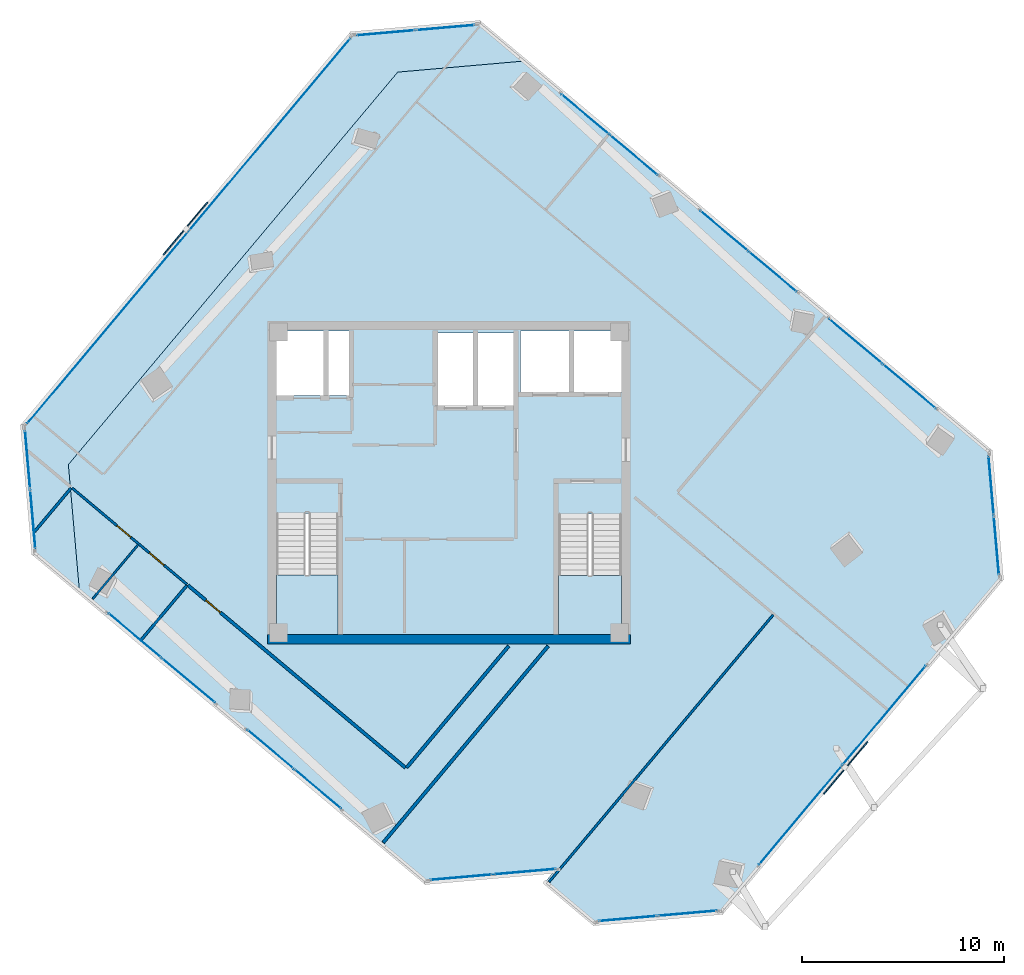
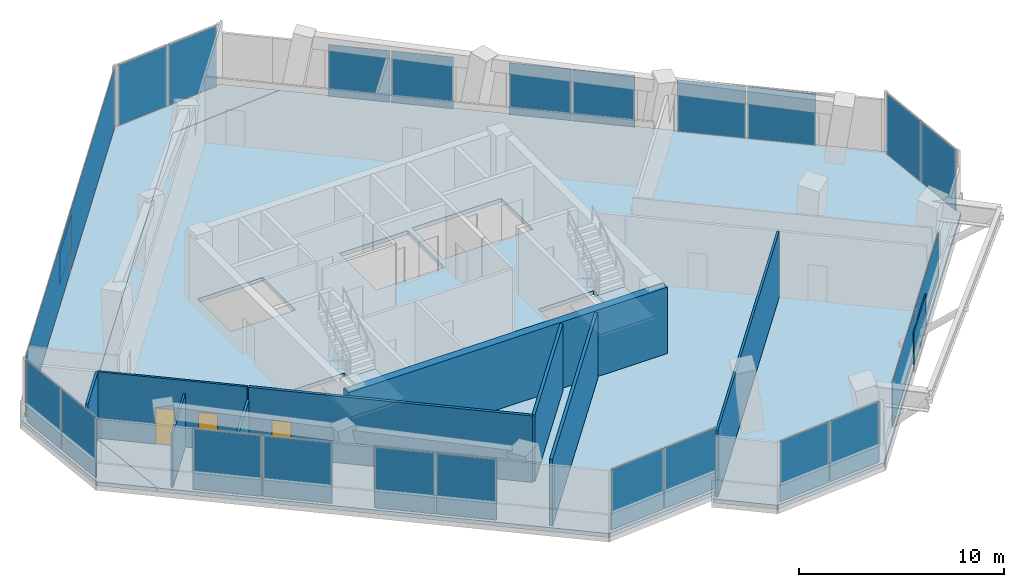
# One storey, part 13 of 18: 26 plates, 9 walls, 4 slabs, 3 doors, 3 openings, 14 elements without a shape of their own.
"""IFC4 building model written with IfcOpenShell, lengths in metres."""

from ifc_helpers import new_model, si_unit, direction, frame, frame_2d, origin, origin_2d, place, context, subcontext, project, spatial, polyline, rectangle, outline, extrude, source, transform, mapped, material, layer, layer_set, type_object, element, fill, aggregate, save


model = new_model("IFC4")

# Units and contexts
model_context = context("Model", 3, precision=1e-05, world=origin(), true_north=direction((0.0, 1.0)))
body_context = subcontext(model_context, "Body", "Model", "MODEL_VIEW")
ifc_project = project(units=[si_unit("LENGTHUNIT", "METRE"), si_unit("AREAUNIT", "SQUARE_METRE"), si_unit("VOLUMEUNIT", "CUBIC_METRE"), si_unit("PLANEANGLEUNIT", "RADIAN"), si_unit("MASSUNIT", "GRAM", prefix="KILO")], contexts=[model_context])

# Site, building, storey
site_placement = place(None, origin())
site = spatial("IfcSite", under=ifc_project, at=site_placement, CompositionType="ELEMENT")
building_placement = place(site_placement, origin())
building = spatial("IfcBuilding", under=site, at=building_placement, Name="Torre Montelarca", CompositionType="ELEMENT")
storey_placement = place(building_placement, frame((0.0, 0.0, 224.800048828125)))
storey = spatial("IfcBuildingStorey", under=building, at=storey_placement, Name="L50", CompositionType="ELEMENT", Elevation=224.800048828125)

# Slabs
ifc_material_1 = material(Name="Concrete C40/50", Category="concrete")
ifc_layer_1 = layer(ifc_material_1, 0.239990234375, Name="Concrete C40/50", Category="concrete")
ifc_layer_set_1 = layer_set([ifc_layer_1], Name="Concrete C40/50")
slab_type_1 = type_object("IfcSlabType", Name="SL-FLR-240", PredefinedType="FLOOR", material=ifc_layer_set_1)
slab_1_placement = place(storey_placement, frame((0.0, 0.0, -0.239990234375)))
element("IfcSlab", 1, at=slab_1_placement, inside=storey, type_object=slab_type_1, Name="L50 Structural Floor Slab", PredefinedType="FLOOR", context=body_context, shape_type="SweptSolid", body=[
    extrude(outline(polyline([(16.848876953125, 12.144287109375), (23.188720703125, 12.698974609375), (22.73876953125, 12.162841796875), (25.18994140625, 10.105712890625), (31.52978515625, 10.660400390625), (45.4140625, 27.20703125), (44.859375, 33.546875), (21.801513671875, 52.894775390625), (15.461669921875, 52.340087890625), (-0.865234375, 32.882568359375), (-0.310546875, 26.542724609375), (16.848876953125, 12.144287109375)]), holes=[polyline([(26.550048828125, 24.449951171875), (23.43994140625, 24.449951171875), (23.43994140625, 30.429931640625), (26.550048828125, 30.429931640625), (26.550048828125, 24.449951171875)]), polyline([(12.5, 24.449951171875), (9.449951171875, 24.449951171875), (9.449951171875, 30.4599609375), (12.5, 30.4599609375), (12.5, 24.449951171875)]), polyline([(21.25, 39.39990234375), (21.25, 35.800048828125), (17.39990234375, 35.800048828125), (17.39990234375, 39.39990234375), (21.25, 39.39990234375)]), polyline([(13.1201171875, 36.300048828125), (9.449951171875, 36.300048828125), (9.449951171875, 39.5), (13.1201171875, 39.5), (13.1201171875, 36.300048828125)]), polyline([(26.60009765625, 36.449951171875), (21.550048828125, 36.449951171875), (21.550048828125, 39.5), (26.60009765625, 39.5), (26.60009765625, 36.449951171875)])]), origin(), (0.0, 0.0, 1.0), 0.239990234375),
])
slab_2_placement = place(storey_placement, frame((0.0, 0.0, -0.239990234375)))
element("IfcSlab", 2, at=slab_2_placement, inside=storey, type_object=slab_type_1, Name="L50 Sliding Tray Winter Garden Floor Slab W1", PredefinedType="FLOOR", context=body_context, shape_type="SweptSolid", body=[
    extrude(outline(polyline([(-0.310546875, 26.542724609375), (-0.865234375, 32.882568359375), (15.461669921875, 52.340087890625), (21.801513671875, 52.894775390625), (19.503173828125, 54.822998046875), (13.16357421875, 54.268310546875), (-3.163330078125, 34.810791015625), (-2.608642578125, 28.47119140625), (-0.310546875, 26.542724609375)])), origin(), (0.0, 0.0, 1.0), 0.239990234375),
])

# Stair, slab
stair_type_1 = type_object("IfcStairType", Name="ST-CORE-ST1", PredefinedType="HALF_TURN_STAIR", material=ifc_material_1)
stair_1_placement = place(storey_placement, origin())
stair_1 = element("IfcStair", 3, at=stair_1_placement, inside=storey, type_object=stair_type_1, Name="L50 Protected Exit Stair ST1", PredefinedType="HALF_TURN_STAIR")
ifc_layer_2 = layer(ifc_material_1, 0.199951171875, Name="Concrete C40/50", Category="concrete")
ifc_layer_set_2 = layer_set([ifc_layer_2], Name="Concrete C40/50")
slab_type_2 = type_object("IfcSlabType", Name="SL-ST-LAND-ST1", PredefinedType="LANDING", material=ifc_layer_set_2)
slab_3_placement = place(storey_placement, frame((0.0, 0.0, 1.89990234375)))
slab_3 = element("IfcSlab", 4, at=slab_3_placement, type_object=slab_type_2, Name="ST1 landing 1", PredefinedType="LANDING", context=body_context, shape_type="SweptSolid", body=[
    extrude(outline(polyline([(9.449951171875, 27.419921875), (9.449951171875, 24.449951171875), (12.5, 24.449951171875), (12.5, 27.419921875), (9.449951171875, 27.419921875)])), origin(), (0.0, 0.0, 1.0), 0.199951171875),
])
aggregate(stair_1, [slab_3])

stair_type_2 = type_object("IfcStairType", Name="ST-CORE-ST2", PredefinedType="HALF_TURN_STAIR", material=ifc_material_1)
stair_2_placement = place(storey_placement, origin())
stair_2 = element("IfcStair", 5, at=stair_2_placement, inside=storey, type_object=stair_type_2, Name="L50 Protected Exit Stair ST2", PredefinedType="HALF_TURN_STAIR")
ifc_layer_3 = layer(ifc_material_1, 0.199951171875, Name="Concrete C40/50", Category="concrete")
ifc_layer_set_3 = layer_set([ifc_layer_3], Name="Concrete C40/50")
slab_type_3 = type_object("IfcSlabType", Name="SL-ST-LAND-ST2", PredefinedType="LANDING", material=ifc_layer_set_3)
slab_4_placement = place(storey_placement, frame((0.0, 0.0, 1.89990234375)))
slab_4 = element("IfcSlab", 6, at=slab_4_placement, type_object=slab_type_3, Name="ST2 landing 1", PredefinedType="LANDING", context=body_context, shape_type="SweptSolid", body=[
    extrude(outline(polyline([(23.43994140625, 27.389892578125), (23.43994140625, 24.449951171875), (26.550048828125, 24.449951171875), (26.550048828125, 27.389892578125), (23.43994140625, 27.389892578125)])), origin(), (0.0, 0.0, 1.0), 0.199951171875),
])
aggregate(stair_2, [slab_4])

# Plates
ifc_material_2 = material(Name="Architectural perforated terracotta ceramic", Category="masonry")
ifc_layer_4 = layer(ifc_material_2, 0.06005859375, Name="Architectural perforated terracotta ceramic", Category="masonry")
ifc_layer_set_4 = layer_set([ifc_layer_4], Name="Architectural perforated terracotta ceramic")
plate_type_1 = type_object("IfcPlateType", Name="SCR-CER-60", PredefinedType="USERDEFINED", material=ifc_layer_set_4)
shared_shape_1 = source(origin(), body_context, "Body", "SweptSolid", [
    extrude(rectangle(XDim=3.39990234375, YDim=0.06005859375, at=origin_2d()), origin(), (0.0, 0.0, 1.0), 1.89990234375),
])
for number, where, z_axis, x_axis, name in (
    (7, (37.664794921875, 17.847412109375, 0.5), (0.0, 0.0, 1.0), (0.642786272686, 0.766045564994, 0.0), "L50 Perforated Ceramic Brise-Soleil Screen E6-1"),
    (8, (4.938720703125, 44.591064453125, 0.5), (0.0, 0.0, 1.0), (-0.642787609687, -0.766044443119, 0.0), "L50 Perforated Ceramic Brise-Soleil Screen E10-1"),
):
    element("IfcPlate", number, at=place(storey_placement, frame(where, z_axis=z_axis, x_axis=x_axis)), inside=storey, type_object=plate_type_1, Name=name, ObjectType="SOLAR SCREEN", PredefinedType="USERDEFINED", context=body_context, shape_type="MappedRepresentation", body=[
        mapped(shared_shape_1, transform((0.0, 0.0, 0.0), scale=1.0)),
    ])

# Curtain wall, plates
ifc_material_3 = material(Name="Insulated low-E laminated glass", Category="glass")
curtain_wall_type = type_object("IfcCurtainWallType", Name="CW-SYS-Z3", PredefinedType="USERDEFINED", material=ifc_material_3)
curtain_wall_1_placement = place(storey_placement, origin())
curtain_wall_1 = element("IfcCurtainWall", 9, at=curtain_wall_1_placement, inside=storey, type_object=curtain_wall_type, Name="L50 Curtain Wall Run CW-T3-L50-E01-B1", ObjectType="UNITISED GLAZING", PredefinedType="USERDEFINED")
ifc_layer_5 = layer(ifc_material_3, 0.031982421875, Name="Insulated low-E laminated glass", Category="glass")
ifc_layer_set_5 = layer_set([ifc_layer_5], Name="Insulated low-E laminated glass")
plate_type_2 = type_object("IfcPlateType", Name="CWP-GLZ-32", PredefinedType="CURTAIN_PANEL", material=ifc_layer_set_5)
shared_shape_2 = source(origin(), body_context, "Body", "SweptSolid", [
    extrude(rectangle(XDim=3.407470703125, YDim=0.031982421875, at=origin_2d()), origin(), (0.0, 0.0, 1.0), 3.610107421875),
])
plate_1_placement = place(storey_placement, frame((2.422607421875, 24.419189453125, 0.0546875), z_axis=(0.0, 0.0, 1.0), x_axis=(0.766043072274, -0.642789243392, 0.0)))
plate_1 = element("IfcPlate", 10, at=plate_1_placement, type_object=plate_type_2, Name="CW panel 1.1", PredefinedType="CURTAIN_PANEL", context=body_context, shape_type="MappedRepresentation", body=[
    mapped(shared_shape_2, transform((0.0, 0.0, 0.0), scale=1.0)),
])
plate_2_placement = place(storey_placement, frame((5.09033203125, 22.1806640625, 0.0546875), z_axis=(0.0, 0.0, 1.0), x_axis=(0.766043072274, -0.642789243392, 0.0)))
plate_2 = element("IfcPlate", 11, at=plate_2_placement, type_object=plate_type_2, Name="CW panel 2.1", PredefinedType="CURTAIN_PANEL", context=body_context, shape_type="MappedRepresentation", body=[
    mapped(shared_shape_2, transform((0.0, 0.0, 0.0), scale=1.0)),
])
aggregate(curtain_wall_1, [plate_1, plate_2])

curtain_wall_2_placement = place(storey_placement, origin())
curtain_wall_2 = element("IfcCurtainWall", 12, at=curtain_wall_2_placement, inside=storey, type_object=curtain_wall_type, Name="L50 Curtain Wall Run CW-T3-L50-E02-B1", ObjectType="UNITISED GLAZING", PredefinedType="USERDEFINED")
shared_shape_3 = source(origin(), body_context, "Body", "SweptSolid", [
    extrude(rectangle(XDim=3.08740234375, YDim=0.031982421875, at=origin_2d()), origin(), (0.0, 0.0, 1.0), 3.610107421875),
])
plate_3_placement = place(storey_placement, frame((18.615234375, 12.429443359375, 0.0546875), z_axis=(0.0, 0.0, 1.0), x_axis=(0.996191766808, 0.087189240987, 0.0)))
plate_3 = element("IfcPlate", 13, at=plate_3_placement, type_object=plate_type_2, Name="CW panel 1.1", PredefinedType="CURTAIN_PANEL", context=body_context, shape_type="MappedRepresentation", body=[
    mapped(shared_shape_3, transform((0.0, 0.0, 0.0), scale=1.0)),
])
plate_4_placement = place(storey_placement, frame((21.765625, 12.705078125, 0.0546875), z_axis=(0.0, 0.0, 1.0), x_axis=(0.996191766808, 0.087189240987, 0.0)))
plate_4 = element("IfcPlate", 14, at=plate_4_placement, type_object=plate_type_2, Name="CW panel 2.1", PredefinedType="CURTAIN_PANEL", context=body_context, shape_type="MappedRepresentation", body=[
    mapped(shared_shape_3, transform((0.0, 0.0, 0.0), scale=1.0)),
])
aggregate(curtain_wall_2, [plate_3, plate_4])

curtain_wall_3_placement = place(storey_placement, origin())
curtain_wall_3 = element("IfcCurtainWall", 15, at=curtain_wall_3_placement, inside=storey, type_object=curtain_wall_type, Name="L50 Curtain Wall Run CW-T3-L50-E05-B1", ObjectType="UNITISED GLAZING", PredefinedType="USERDEFINED")
shared_shape_4 = source(origin(), body_context, "Body", "SweptSolid", [
    extrude(rectangle(XDim=2.903564453125, YDim=0.031982421875, at=origin_2d()), origin(), (0.0, 0.0, 1.0), 3.610107421875),
])
plate_5_placement = place(storey_placement, frame((26.864990234375, 10.3828125, 0.0546875), z_axis=(0.0, 0.0, 1.0), x_axis=(0.996192475817, 0.087181139731, 0.0)))
plate_5 = element("IfcPlate", 16, at=plate_5_placement, type_object=plate_type_2, Name="CW panel 1.1", PredefinedType="CURTAIN_PANEL", context=body_context, shape_type="MappedRepresentation", body=[
    mapped(shared_shape_4, transform((0.0, 0.0, 0.0), scale=1.0)),
])
plate_6_placement = place(storey_placement, frame((29.832275390625, 10.642578125, 0.0546875), z_axis=(0.0, 0.0, 1.0), x_axis=(0.996192475817, 0.087181139731, 0.0)))
plate_6 = element("IfcPlate", 17, at=plate_6_placement, type_object=plate_type_2, Name="CW panel 2.1", PredefinedType="CURTAIN_PANEL", context=body_context, shape_type="MappedRepresentation", body=[
    mapped(shared_shape_4, transform((0.0, 0.0, 0.0), scale=1.0)),
])
aggregate(curtain_wall_3, [plate_5, plate_6])

curtain_wall_4_placement = place(storey_placement, origin())
curtain_wall_4 = element("IfcCurtainWall", 18, at=curtain_wall_4_placement, inside=storey, type_object=curtain_wall_type, Name="L50 Curtain Wall Run CW-T3-L50-E07-B1", ObjectType="UNITISED GLAZING", PredefinedType="USERDEFINED")
plate_7_placement = place(storey_placement, frame((45.136962890625, 28.882080078125, 0.0546875), z_axis=(0.0, 0.0, 1.0), x_axis=(-0.087182579501, 0.996192349816, 0.0)))
plate_7 = element("IfcPlate", 19, at=plate_7_placement, type_object=plate_type_2, Name="CW panel 1.1", PredefinedType="CURTAIN_PANEL", context=body_context, shape_type="MappedRepresentation", body=[
    mapped(shared_shape_4, transform((0.0, 0.0, 0.0), scale=1.0)),
])
plate_8_placement = place(storey_placement, frame((44.877197265625, 31.84912109375, 0.0546875), z_axis=(0.0, 0.0, 1.0), x_axis=(-0.087182579501, 0.996192349816, 0.0)))
plate_8 = element("IfcPlate", 20, at=plate_8_placement, type_object=plate_type_2, Name="CW panel 2.1", PredefinedType="CURTAIN_PANEL", context=body_context, shape_type="MappedRepresentation", body=[
    mapped(shared_shape_4, transform((0.0, 0.0, 0.0), scale=1.0)),
])
aggregate(curtain_wall_4, [plate_7, plate_8])

curtain_wall_5_placement = place(storey_placement, origin())
curtain_wall_5 = element("IfcCurtainWall", 21, at=curtain_wall_5_placement, inside=storey, type_object=curtain_wall_type, Name="L50 Curtain Wall Run CW-T3-L50-E09-B1", ObjectType="UNITISED GLAZING", PredefinedType="USERDEFINED")
plate_9_placement = place(storey_placement, frame((17.828369140625, 54.546142578125, 0.0546875), z_axis=(0.0, 0.0, 1.0), x_axis=(-0.996192349816, -0.087182579501, 0.0)))
plate_9 = element("IfcPlate", 22, at=plate_9_placement, type_object=plate_type_2, Name="CW panel 1.1", PredefinedType="CURTAIN_PANEL", context=body_context, shape_type="MappedRepresentation", body=[
    mapped(shared_shape_4, transform((0.0, 0.0, 0.0), scale=1.0)),
])
plate_10_placement = place(storey_placement, frame((14.861083984375, 54.286376953125, 0.0546875), z_axis=(0.0, 0.0, 1.0), x_axis=(-0.996192349816, -0.087182579501, 0.0)))
plate_10 = element("IfcPlate", 23, at=plate_10_placement, type_object=plate_type_2, Name="CW panel 2.1", PredefinedType="CURTAIN_PANEL", context=body_context, shape_type="MappedRepresentation", body=[
    mapped(shared_shape_4, transform((0.0, 0.0, 0.0), scale=1.0)),
])
aggregate(curtain_wall_5, [plate_9, plate_10])

curtain_wall_6_placement = place(storey_placement, origin())
curtain_wall_6 = element("IfcCurtainWall", 24, at=curtain_wall_6_placement, inside=storey, type_object=curtain_wall_type, Name="L50 Curtain Wall Run CW-T3-L50-E11-B1", ObjectType="UNITISED GLAZING", PredefinedType="USERDEFINED")
plate_11_placement = place(storey_placement, frame((-2.88623046875, 33.135986328125, 0.0546875), z_axis=(0.0, 0.0, 1.0), x_axis=(0.087166127681, -0.996193789473, 0.0)))
plate_11 = element("IfcPlate", 25, at=plate_11_placement, type_object=plate_type_2, Name="CW panel 1.1", PredefinedType="CURTAIN_PANEL", context=body_context, shape_type="MappedRepresentation", body=[
    mapped(shared_shape_4, transform((0.0, 0.0, 0.0), scale=1.0)),
])
plate_12_placement = place(storey_placement, frame((-2.626708984375, 30.168701171875, 0.0546875), z_axis=(0.0, 0.0, 1.0), x_axis=(0.087166127681, -0.996193789473, 0.0)))
plate_12 = element("IfcPlate", 26, at=plate_12_placement, type_object=plate_type_2, Name="CW panel 2.1", PredefinedType="CURTAIN_PANEL", context=body_context, shape_type="MappedRepresentation", body=[
    mapped(shared_shape_4, transform((0.0, 0.0, 0.0), scale=1.0)),
])
aggregate(curtain_wall_6, [plate_11, plate_12])

curtain_wall_7_placement = place(storey_placement, origin())
curtain_wall_7 = element("IfcCurtainWall", 27, at=curtain_wall_7_placement, inside=storey, type_object=curtain_wall_type, Name="L50 Curtain Wall Run CW-T3-L50-E10-B1", ObjectType="UNITISED GLAZING", PredefinedType="USERDEFINED")
shared_shape_5 = source(origin(), body_context, "Body", "SweptSolid", [
    extrude(rectangle(XDim=12.421630859375, YDim=0.031982421875, at=origin_2d()), origin(), (0.0, 0.0, 1.0), 3.610107421875),
])
plate_13_placement = place(storey_placement, frame((9.115966796875, 49.24267578125, 0.0546875), z_axis=(0.0, 0.0, 1.0), x_axis=(-0.642788408931, -0.766043772472, 0.0)))
plate_13 = element("IfcPlate", 28, at=plate_13_placement, type_object=plate_type_2, Name="CW panel 1.1", PredefinedType="CURTAIN_PANEL", context=body_context, shape_type="MappedRepresentation", body=[
    mapped(shared_shape_5, transform((0.0, 0.0, 0.0), scale=1.0)),
])
plate_14_placement = place(storey_placement, frame((1.083251953125, 39.669677734375, 0.0546875), z_axis=(0.0, 0.0, 1.0), x_axis=(-0.642788408931, -0.766043772472, 0.0)))
plate_14 = element("IfcPlate", 29, at=plate_14_placement, type_object=plate_type_2, Name="CW panel 2.1", PredefinedType="CURTAIN_PANEL", context=body_context, shape_type="MappedRepresentation", body=[
    mapped(shared_shape_5, transform((0.0, 0.0, 0.0), scale=1.0)),
])
aggregate(curtain_wall_7, [plate_13, plate_14])

curtain_wall_8_placement = place(storey_placement, origin())
curtain_wall_8 = element("IfcCurtainWall", 30, at=curtain_wall_8_placement, inside=storey, type_object=curtain_wall_type, Name="L50 Curtain Wall Run CW-T3-L50-E01-B2", ObjectType="UNITISED GLAZING", PredefinedType="USERDEFINED")
shared_shape_6 = source(origin(), body_context, "Body", "SweptSolid", [
    extrude(rectangle(XDim=2.9921875, YDim=0.031982421875, at=origin_2d()), origin(), (0.0, 0.0, 1.0), 3.610107421875),
])
plate_15_placement = place(storey_placement, frame((9.157958984375, 18.767578125, 0.0546875), z_axis=(0.0, 0.0, 1.0), x_axis=(0.76604009876, -0.642792787056, 0.0)))
plate_15 = element("IfcPlate", 31, at=plate_15_placement, type_object=plate_type_2, Name="CW panel 1.1", PredefinedType="CURTAIN_PANEL", context=body_context, shape_type="MappedRepresentation", body=[
    mapped(shared_shape_6, transform((0.0, 0.0, 0.0), scale=1.0)),
])
plate_16_placement = place(storey_placement, frame((11.507568359375, 16.7958984375, 0.0546875), z_axis=(0.0, 0.0, 1.0), x_axis=(0.76604009876, -0.642792787056, 0.0)))
plate_16 = element("IfcPlate", 32, at=plate_16_placement, type_object=plate_type_2, Name="CW panel 2.1", PredefinedType="CURTAIN_PANEL", context=body_context, shape_type="MappedRepresentation", body=[
    mapped(shared_shape_6, transform((0.0, 0.0, 0.0), scale=1.0)),
])
aggregate(curtain_wall_8, [plate_15, plate_16])

curtain_wall_9_placement = place(storey_placement, origin())
curtain_wall_9 = element("IfcCurtainWall", 33, at=curtain_wall_9_placement, inside=storey, type_object=curtain_wall_type, Name="L50 Curtain Wall Run CW-T3-L50-E06-B1", ObjectType="UNITISED GLAZING", PredefinedType="USERDEFINED")
shared_shape_7 = source(origin(), body_context, "Body", "SweptSolid", [
    extrude(rectangle(XDim=6.381591796875, YDim=0.031982421875, at=origin_2d()), origin(), (0.0, 0.0, 1.0), 2.6650390625),
])
plate_17_placement = place(storey_placement, frame((35.4287109375, 15.509521484375, 0.054931640625), z_axis=(0.0, 0.0, 1.0), x_axis=(0.642791143744, 0.766041477678, 0.0)))
plate_17 = element("IfcPlate", 34, at=plate_17_placement, type_object=plate_type_2, Name="CW panel 1.1", PredefinedType="CURTAIN_PANEL", context=body_context, shape_type="MappedRepresentation", body=[
    mapped(shared_shape_7, transform((0.0, 0.0, 0.0), scale=1.0)),
])
plate_18_placement = place(storey_placement, frame((39.5791015625, 20.45556640625, 0.054931640625), z_axis=(0.0, 0.0, 1.0), x_axis=(0.642791143744, 0.766041477678, 0.0)))
plate_18 = element("IfcPlate", 35, at=plate_18_placement, type_object=plate_type_2, Name="CW panel 2.1", PredefinedType="CURTAIN_PANEL", context=body_context, shape_type="MappedRepresentation", body=[
    mapped(shared_shape_7, transform((0.0, 0.0, 0.0), scale=1.0)),
])
aggregate(curtain_wall_9, [plate_17, plate_18])

curtain_wall_10_placement = place(storey_placement, origin())
curtain_wall_10 = element("IfcCurtainWall", 36, at=curtain_wall_10_placement, inside=storey, type_object=curtain_wall_type, Name="L50 Curtain Wall Run CW-T3-L50-E08-B1", ObjectType="UNITISED GLAZING", PredefinedType="USERDEFINED")
shared_shape_8 = source(origin(), body_context, "Body", "SweptSolid", [
    extrude(rectangle(XDim=3.407470703125, YDim=0.031982421875, at=origin_2d()), origin(), (0.0, 0.0, 1.0), 3.06494140625),
])
plate_19_placement = place(storey_placement, frame((40.823974609375, 36.76318359375, 0.054931640625), z_axis=(0.0, 0.0, 1.0), x_axis=(-0.766043072274, 0.642789243392, 0.0)))
plate_19 = element("IfcPlate", 37, at=plate_19_placement, type_object=plate_type_2, Name="CW panel 1.1", PredefinedType="CURTAIN_PANEL", context=body_context, shape_type="MappedRepresentation", body=[
    mapped(shared_shape_8, transform((0.0, 0.0, 0.0), scale=1.0)),
])
plate_20_placement = place(storey_placement, frame((38.15625, 39.001708984375, 0.054931640625), z_axis=(0.0, 0.0, 1.0), x_axis=(-0.766043072274, 0.642789243392, 0.0)))
plate_20 = element("IfcPlate", 38, at=plate_20_placement, type_object=plate_type_2, Name="CW panel 2.1", PredefinedType="CURTAIN_PANEL", context=body_context, shape_type="MappedRepresentation", body=[
    mapped(shared_shape_8, transform((0.0, 0.0, 0.0), scale=1.0)),
])
aggregate(curtain_wall_10, [plate_19, plate_20])

curtain_wall_11_placement = place(storey_placement, origin())
curtain_wall_11 = element("IfcCurtainWall", 39, at=curtain_wall_11_placement, inside=storey, type_object=curtain_wall_type, Name="L50 Curtain Wall Run CW-T3-L50-E08-B2", ObjectType="UNITISED GLAZING", PredefinedType="USERDEFINED")
shared_shape_9 = source(origin(), body_context, "Body", "SweptSolid", [
    extrude(rectangle(XDim=3.075439453125, YDim=0.031982421875, at=origin_2d()), origin(), (0.0, 0.0, 1.0), 3.06494140625),
])
plate_21_placement = place(storey_placement, frame((34.056640625, 42.44140625, 0.054931640625), z_axis=(0.0, 0.0, 1.0), x_axis=(-0.766046792322, 0.642784810005, 0.0)))
plate_21 = element("IfcPlate", 40, at=plate_21_placement, type_object=plate_type_2, Name="CW panel 1.1", PredefinedType="CURTAIN_PANEL", context=body_context, shape_type="MappedRepresentation", body=[
    mapped(shared_shape_9, transform((0.0, 0.0, 0.0), scale=1.0)),
])
plate_22_placement = place(storey_placement, frame((31.643310546875, 44.466552734375, 0.054931640625), z_axis=(0.0, 0.0, 1.0), x_axis=(-0.766046792322, 0.642784810005, 0.0)))
plate_22 = element("IfcPlate", 41, at=plate_22_placement, type_object=plate_type_2, Name="CW panel 2.1", PredefinedType="CURTAIN_PANEL", context=body_context, shape_type="MappedRepresentation", body=[
    mapped(shared_shape_9, transform((0.0, 0.0, 0.0), scale=1.0)),
])
aggregate(curtain_wall_11, [plate_21, plate_22])

curtain_wall_12_placement = place(storey_placement, origin())
curtain_wall_12 = element("IfcCurtainWall", 42, at=curtain_wall_12_placement, inside=storey, type_object=curtain_wall_type, Name="L50 Curtain Wall Run CW-T3-L50-E08-B3", ObjectType="UNITISED GLAZING", PredefinedType="USERDEFINED")
shared_shape_10 = source(origin(), body_context, "Body", "SweptSolid", [
    extrude(rectangle(XDim=3.071044921875, YDim=0.031982421875, at=origin_2d()), origin(), (0.0, 0.0, 1.0), 3.06494140625),
])
plate_23_placement = place(storey_placement, frame((27.163818359375, 48.225341796875, 0.054931640625), z_axis=(0.0, 0.0, 1.0), x_axis=(-0.766043852372, 0.64278831371, 0.0)))
plate_23 = element("IfcPlate", 43, at=plate_23_placement, type_object=plate_type_2, Name="CW panel 1.1", PredefinedType="CURTAIN_PANEL", context=body_context, shape_type="MappedRepresentation", body=[
    mapped(shared_shape_10, transform((0.0, 0.0, 0.0), scale=1.0)),
])
plate_24_placement = place(storey_placement, frame((24.75390625, 50.24755859375, 0.054931640625), z_axis=(0.0, 0.0, 1.0), x_axis=(-0.766043852372, 0.64278831371, 0.0)))
plate_24 = element("IfcPlate", 44, at=plate_24_placement, type_object=plate_type_2, Name="CW panel 2.1", PredefinedType="CURTAIN_PANEL", context=body_context, shape_type="MappedRepresentation", body=[
    mapped(shared_shape_10, transform((0.0, 0.0, 0.0), scale=1.0)),
])
aggregate(curtain_wall_12, [plate_23, plate_24])

# Wall
ifc_material_4 = material(Name="Concrete C55/67", Category="concrete")
ifc_layer_6 = layer(ifc_material_4, 0.449951171875, Name="Concrete C55/67", Category="concrete")
ifc_layer_set_6 = layer_set([ifc_layer_6], Name="Concrete C55/67")
wall_type_1 = type_object("IfcWallType", Name="CW-SHEAR-450", PredefinedType="SHEAR", material=ifc_layer_set_6)
wall_1_placement = place(storey_placement, frame((9.0, 24.22509765625, 0.0), z_axis=(0.0, 0.0, 1.0), x_axis=(1.0, 0.0, 0.0)))
element("IfcWall", 45, at=wall_1_placement, inside=storey, type_object=wall_type_1, Name="L50 Core Shear Wall CW-S1", PredefinedType="SHEAR", context=body_context, shape_type="SweptSolid", body=[
    extrude(rectangle(XDim=18.0, YDim=0.449951171875, at=frame_2d((9.0, 0.0))), origin(), (0.0, 0.0, 1.0), 3.9599609375),
])

# Wall, opening, door
ifc_material_5 = material(Name="Gypsum plasterboard on steel stud", Category="steel")
ifc_layer_7 = layer(ifc_material_5, 0.159912109375, Name="Gypsum plasterboard on steel stud", Category="steel")
ifc_layer_set_7 = layer_set([ifc_layer_7], Name="Gypsum plasterboard on steel stud")
wall_type_2 = type_object("IfcWallType", Name="PW-FIRE-160", PredefinedType="PARTITIONING", material=ifc_layer_set_7)
wall_2_placement = place(storey_placement, frame((5.06689453125, 26.899658203125, 0.0), z_axis=(0.0, 0.0, 1.0), x_axis=(0.766049317662, -0.642781800387, 0.0)))
wall_2 = element("IfcWall", 46, at=wall_2_placement, inside=storey, type_object=wall_type_2, Name="L50 Interior Partition W-L50-SOCCN", PredefinedType="PARTITIONING", context=body_context, shape_type="SweptSolid", body=[
    extrude(rectangle(XDim=14.070068359375, YDim=0.159912109375, at=frame_2d((7.03515625, 0.0))), origin(), (0.0, 0.0, 1.0), 3.9599609375),
])
opening_1_placement = place(wall_2_placement, frame((1.14990234375, 0.0, 0.0)))
opening_1 = element("IfcOpeningElement", 47, at=opening_1_placement, cuts=wall_2, Name="Opening FD-095", PredefinedType="OPENING", context=body_context, shape_type="SweptSolid", body=[
    extrude(rectangle(XDim=0.949951171875, YDim=2.14990234375, at=frame_2d((0.47509765625, 1.074951171875))), frame((0.0, 0.08984375, 0.0), z_axis=(0.0, -1.0, 0.0), x_axis=(1.0, 0.0, 0.0)), (0.0, 0.0, 1.0), 0.179931640625),
])
ifc_material_6 = material(Name="Timber fire-rated room door", Category="wood")
door_type_1 = type_object("IfcDoorType", Name="DR-FIRE-095", OperationType="NOTDEFINED", PredefinedType="DOOR", material=ifc_material_6)
shared_shape_11 = source(origin(), body_context, "Body", "SweptSolid", [
    extrude(rectangle(XDim=0.949951171875, YDim=2.14990234375, at=frame_2d((0.47509765625, 1.074951171875))), frame((0.0, 0.02490234375, 0.0), z_axis=(0.0, -1.0, 0.0), x_axis=(1.0, 0.0, 0.0)), (0.0, 0.0, 1.0), 0.050048828125),
])
door_1_placement = place(opening_1_placement, origin())
door_1 = element("IfcDoor", 48, at=door_1_placement, inside=storey, type_object=door_type_1, Name="L50 Interior Door 08", OperationType="SINGLE_SWING_RIGHT", OverallHeight=2.14990234375, OverallWidth=0.949951171875, PredefinedType="DOOR", context=body_context, shape_type="MappedRepresentation", body=[
    mapped(shared_shape_11, transform((0.0, 0.0, 0.0), scale=1.0)),
])
fill(opening_1, door_1)

# Walls
wall_3_placement = place(storey_placement, frame((15.901611328125, 17.860595703125, 0.0), z_axis=(0.0, 0.0, 1.0), x_axis=(0.642774387864, 0.766055537351, 0.0)))
element("IfcWall", 49, at=wall_3_placement, inside=storey, type_object=wall_type_2, Name="L50 Interior Partition W-L50-SOCCW3", PredefinedType="PARTITIONING", context=body_context, shape_type="SweptSolid", body=[
    extrude(rectangle(XDim=7.869873046875, YDim=0.159912109375, at=frame_2d((3.93505859375, 0.0))), origin(), (0.0, 0.0, 1.0), 3.9599609375),
])
wall_4_placement = place(storey_placement, frame((14.742919921875, 14.146240234375, 0.0), z_axis=(0.0, 0.0, 1.0), x_axis=(0.642789996784, 0.7660424401, 0.0)))
element("IfcWall", 50, at=wall_4_placement, inside=storey, type_object=wall_type_2, Name="L50 Interior Partition W-L50-ECS", PredefinedType="PARTITIONING", context=body_context, shape_type="SweptSolid", body=[
    extrude(rectangle(XDim=12.71875, YDim=0.159912109375, at=frame_2d((6.359375, 0.0))), origin(), (0.0, 0.0, 1.0), 3.9599609375),
])
ifc_material_7 = material(Name="Acoustic laminated glass partition", Category="glass")
ifc_layer_8 = layer(ifc_material_7, 0.10009765625, Name="Acoustic laminated glass partition", Category="glass")
ifc_layer_set_8 = layer_set([ifc_layer_8], Name="Acoustic laminated glass partition")
wall_type_3 = type_object("IfcWallType", Name="PW-GLAZ-100", PredefinedType="PARTITIONING", material=ifc_layer_set_8)
wall_5_placement = place(storey_placement, frame((0.34130859375, 26.230712890625, 0.0), z_axis=(0.0, 0.0, 1.0), x_axis=(0.642794003744, 0.766039077822, 0.0)))
element("IfcWall", 51, at=wall_5_placement, inside=storey, type_object=wall_type_3, Name="L50 Interior Partition W-L50-WCD", PredefinedType="PARTITIONING", context=body_context, shape_type="SweptSolid", body=[
    extrude(rectangle(XDim=3.51025390625, YDim=0.10009765625, at=frame_2d((1.755126953125, 0.0))), origin(), (0.0, 0.0, 1.0), 3.195068359375),
])

# Wall, openings, doors
ifc_layer_9 = layer(ifc_material_5, 0.114990234375, Name="Gypsum plasterboard on steel stud", Category="steel")
ifc_layer_set_9 = layer_set([ifc_layer_9], Name="Gypsum plasterboard on steel stud")
wall_type_4 = type_object("IfcWallType", Name="PW-PART-115", PredefinedType="PARTITIONING", material=ifc_layer_set_9)
wall_6_placement = place(storey_placement, frame((-0.678466796875, 31.720703125, 0.0), z_axis=(0.0, 0.0, 1.0), x_axis=(0.766043108328, -0.642789200425, 0.0)))
wall_6 = element("IfcWall", 52, at=wall_6_placement, inside=storey, type_object=wall_type_4, Name="L50 Interior Partition W-L50-WCN", PredefinedType="PARTITIONING", context=body_context, shape_type="SweptSolid", body=[
    extrude(rectangle(XDim=7.420166015625, YDim=0.114990234375, at=frame_2d((3.7099609375, 0.0))), origin(), (0.0, 0.0, 1.0), 3.9599609375),
])
opening_2_placement = place(wall_6_placement, frame((2.89990234375, 0.0, 0.0)))
opening_2 = element("IfcOpeningElement", 53, at=opening_2_placement, cuts=wall_6, Name="Opening ID-090", PredefinedType="OPENING", context=body_context, shape_type="SweptSolid", body=[
    extrude(rectangle(XDim=0.89990234375, YDim=2.14990234375, at=frame_2d((0.449951171875, 1.074951171875))), frame((0.0, 0.0673828125, 0.0), z_axis=(0.0, -1.0, 0.0), x_axis=(1.0, 0.0, 0.0)), (0.0, 0.0, 1.0), 0.135009765625),
])
opening_3_placement = place(wall_6_placement, frame((5.0, 0.0, 0.0)))
opening_3 = element("IfcOpeningElement", 54, at=opening_3_placement, cuts=wall_6, Name="Opening ID-095", PredefinedType="OPENING", context=body_context, shape_type="SweptSolid", body=[
    extrude(rectangle(XDim=0.949951171875, YDim=2.14990234375, at=frame_2d((0.47509765625, 1.074951171875))), frame((0.0, 0.0673828125, 0.0), z_axis=(0.0, -1.0, 0.0), x_axis=(1.0, 0.0, 0.0)), (0.0, 0.0, 1.0), 0.135009765625),
])
ifc_material_8 = material(Name="Hardwood acoustic timber veneer", Category="wood")
door_type_2 = type_object("IfcDoorType", Name="DR-INT-090", OperationType="NOTDEFINED", PredefinedType="DOOR", material=ifc_material_8)
shared_shape_12 = source(origin(), body_context, "Body", "SweptSolid", [
    extrude(rectangle(XDim=0.89990234375, YDim=2.14990234375, at=frame_2d((0.449951171875, 1.074951171875))), frame((0.0, 0.02490234375, 0.0), z_axis=(0.0, -1.0, 0.0), x_axis=(1.0, 0.0, 0.0)), (0.0, 0.0, 1.0), 0.050048828125),
])
door_2_placement = place(opening_2_placement, origin())
door_2 = element("IfcDoor", 55, at=door_2_placement, inside=storey, type_object=door_type_2, Name="L50 Interior Door 06", OperationType="SINGLE_SWING_LEFT", OverallHeight=2.14990234375, OverallWidth=0.89990234375, PredefinedType="DOOR", context=body_context, shape_type="MappedRepresentation", body=[
    mapped(shared_shape_12, transform((0.0, 0.0, 0.0), scale=1.0)),
])
fill(opening_2, door_2)
door_type_3 = type_object("IfcDoorType", Name="DR-INT-095", OperationType="NOTDEFINED", PredefinedType="DOOR", material=ifc_material_8)
shared_shape_13 = source(origin(), body_context, "Body", "SweptSolid", [
    extrude(rectangle(XDim=0.949951171875, YDim=2.14990234375, at=frame_2d((0.47509765625, 1.074951171875))), frame((0.0, 0.02490234375, 0.0), z_axis=(0.0, -1.0, 0.0), x_axis=(1.0, 0.0, 0.0)), (0.0, 0.0, 1.0), 0.050048828125),
])
door_3_placement = place(opening_3_placement, origin())
door_3 = element("IfcDoor", 56, at=door_3_placement, inside=storey, type_object=door_type_3, Name="L50 Interior Door 07", OperationType="SINGLE_SWING_RIGHT", OverallHeight=2.14990234375, OverallWidth=0.949951171875, PredefinedType="DOOR", context=body_context, shape_type="MappedRepresentation", body=[
    mapped(shared_shape_13, transform((0.0, 0.0, 0.0), scale=1.0)),
])
fill(opening_3, door_3)

# Walls
wall_7_placement = place(storey_placement, frame((22.96923828125, 12.2041015625, 0.0), z_axis=(0.0, 0.0, 1.0), x_axis=(0.642787758903, 0.766044317912, 0.0)))
element("IfcWall", 57, at=wall_7_placement, inside=storey, type_object=wall_type_4, Name="L50 Interior Partition W-L50-SEDIV-1", PredefinedType="PARTITIONING", context=body_context, shape_type="SweptSolid", body=[
    extrude(rectangle(XDim=17.280029296875, YDim=0.114990234375, at=frame_2d((8.64013671875, 0.0))), origin(), (0.0, 0.0, 1.0), 3.9599609375),
])
ifc_layer_10 = layer(ifc_material_5, 0.135009765625, Name="Gypsum plasterboard on steel stud", Category="steel")
ifc_layer_set_10 = layer_set([ifc_layer_10], Name="Gypsum plasterboard on steel stud")
wall_type_5 = type_object("IfcWallType", Name="PW-PART-135", PredefinedType="PARTITIONING", material=ifc_layer_set_10)
wall_8_placement = place(storey_placement, frame((-2.535888671875, 29.569091796875, 0.0), z_axis=(0.0, 0.0, 1.0), x_axis=(0.642777228426, 0.766053153911, 0.0)))
element("IfcWall", 58, at=wall_8_placement, inside=storey, type_object=wall_type_5, Name="L50 Interior Partition W-L50-WCW", PredefinedType="PARTITIONING", context=body_context, shape_type="SweptSolid", body=[
    extrude(rectangle(XDim=2.80224609375, YDim=0.135009765625, at=frame_2d((1.401123046875, 0.0))), origin(), (0.0, 0.0, 1.0), 3.9599609375),
])
wall_9_placement = place(storey_placement, frame((2.75439453125, 24.205810546875, 0.0), z_axis=(0.0, 0.0, 1.0), x_axis=(0.642753187144, 0.766073325744, 0.0)))
element("IfcWall", 59, at=wall_9_placement, inside=storey, type_object=wall_type_5, Name="L50 Interior Partition W-L50-SWCDIV", PredefinedType="PARTITIONING", context=body_context, shape_type="SweptSolid", body=[
    extrude(rectangle(XDim=3.510009765625, YDim=0.135009765625, at=frame_2d((1.7548828125, 0.0))), origin(), (0.0, 0.0, 1.0), 3.195068359375),
])

save(model, "model.ifc")
